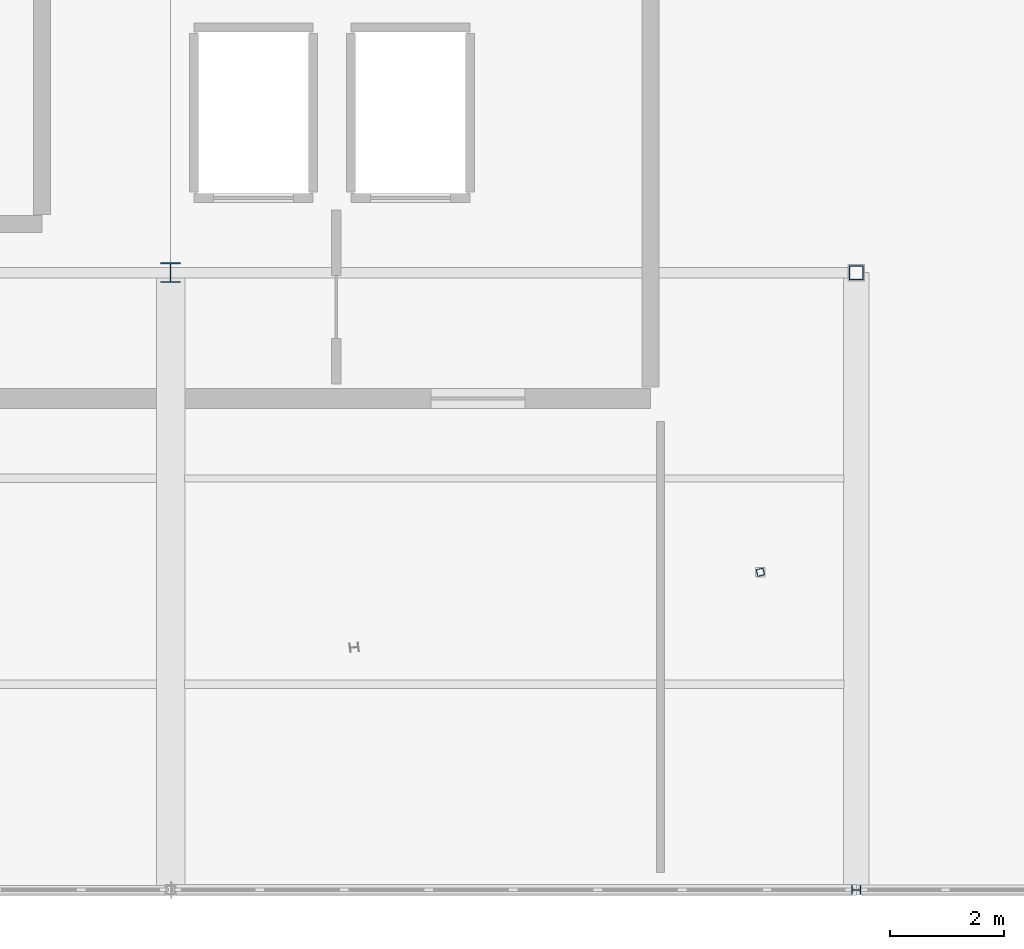
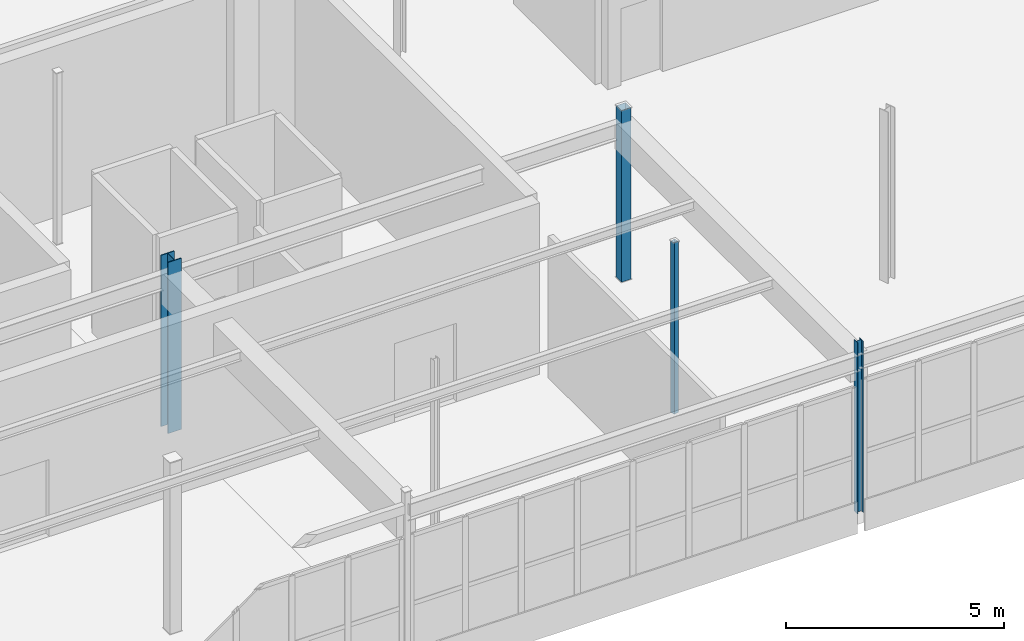
# One storey, part 10 of 226: 4 columns.
"""IFC4 building model written with IfcOpenShell, lengths in metres."""

from ifc_helpers import new_model, si_unit, direction, frame, origin, origin_2d, place, context, subcontext, project, spatial, hollow_rectangle, i_section, extrude, material, material_profile, profile_set, type_object, element, save


model = new_model("IFC4")

# Units and contexts
model_context = context("Model", 3, precision=1e-05, world=origin(), true_north=direction((0.0, 1.0)))
body_context = subcontext(model_context, "Body", "Model", "MODEL_VIEW")
ifc_project = project(units=[si_unit("LENGTHUNIT", "METRE"), si_unit("AREAUNIT", "SQUARE_METRE"), si_unit("VOLUMEUNIT", "CUBIC_METRE"), si_unit("PLANEANGLEUNIT", "RADIAN"), si_unit("MASSUNIT", "GRAM", prefix="KILO")], contexts=[model_context])

# Site, building, storey
site_placement = place(None, origin())
site = spatial("IfcSite", under=ifc_project, at=site_placement, CompositionType="ELEMENT")
building_placement = place(site_placement, origin())
building = spatial("IfcBuilding", under=site, at=building_placement, Name="Tarnwether General Hospital", CompositionType="ELEMENT")
storey_placement = place(building_placement, frame((0.0, 0.0, 4.800048828125)))
storey = spatial("IfcBuildingStorey", under=building, at=storey_placement, Name="L01", CompositionType="ELEMENT", Elevation=4.800048828125)

# Columns
ifc_material_1 = material(Name="Steel Grade 350 (350 MPa)", Category="steel")
ifc_material_profile_1 = material_profile(ifc_material_1, i_section(OverallWidth=0.35009765625, OverallDepth=0.35009765625, WebThickness=0.013916015625, FlangeThickness=0.02392578125, at=origin_2d()), Name="350WC197")
ifc_profile_set_1 = profile_set([ifc_material_profile_1], Name="Steel Grade 350 (350 MPa)")
column_type_1 = type_object("IfcColumnType", Name="COL-04", PredefinedType="COLUMN", material=ifc_profile_set_1)
column_1_placement = place(storey_placement, frame((96.0, 10.800048828125, 0.0), z_axis=(0.0, 0.0, 1.0), x_axis=(1.0, 0.0, 0.0)))
element("IfcColumn", 1, at=column_1_placement, inside=storey, type_object=column_type_1, Name="Column COLG-L01-9600_1080", PredefinedType="COLUMN", context=body_context, shape_type="SweptSolid", body=[
    extrude(i_section(OverallWidth=0.35009765625, OverallDepth=0.35009765625, WebThickness=0.013916015625, FlangeThickness=0.02392578125, at=origin_2d()), origin(), (0.0, 0.0, 1.0), 4.800048828125),
])
ifc_material_2 = material(Name="Steel Grade C350L0 (350 MPa)", Category="steel")
ifc_material_profile_2 = material_profile(ifc_material_2, hollow_rectangle(XDim=0.25, YDim=0.25, WallThickness=0.012451171875, at=origin_2d()), Name="SHS250x250x12.5")
ifc_profile_set_2 = profile_set([ifc_material_profile_2], Name="Steel Grade C350L0 (350 MPa)")
column_type_2 = type_object("IfcColumnType", Name="COL-14", PredefinedType="COLUMN", material=ifc_profile_set_2)
column_2_placement = place(storey_placement, frame((108.0, 10.800048828125, 0.0), z_axis=(0.0, 0.0, 1.0), x_axis=(0.0, 1.0, 0.0)))
element("IfcColumn", 2, at=column_2_placement, inside=storey, type_object=column_type_2, Name="Column COLG-L01-10800_1080", PredefinedType="COLUMN", context=body_context, shape_type="SweptSolid", body=[
    extrude(hollow_rectangle(XDim=0.25, YDim=0.25, WallThickness=0.012451171875, at=origin_2d()), origin(), (0.0, 0.0, 1.0), 4.800048828125),
])
ifc_material_3 = material(Name="Steel Grade 350 (350 MPa)", Category="steel")
ifc_material_profile_3 = material_profile(ifc_material_3, i_section(OverallWidth=0.153076171875, OverallDepth=0.157958984375, WebThickness=0.006591796875, FlangeThickness=0.009521484375, at=origin_2d()), Name="150UC30.0")
ifc_profile_set_3 = profile_set([ifc_material_profile_3], Name="Steel Grade 350 (350 MPa)")
column_type_3 = type_object("IfcColumnType", Name="COL-31", PredefinedType="COLUMN", material=ifc_profile_set_3)
column_3_placement = place(storey_placement, frame((108.0, 0.0, 0.0), z_axis=(0.0, 0.0, 1.0), x_axis=(0.0, 1.0, 0.0)))
element("IfcColumn", 3, at=column_3_placement, inside=storey, type_object=column_type_3, Name="Column COLG-L01-10800_0", PredefinedType="COLUMN", context=body_context, shape_type="SweptSolid", body=[
    extrude(i_section(OverallWidth=0.153076171875, OverallDepth=0.157958984375, WebThickness=0.006591796875, FlangeThickness=0.009521484375, at=origin_2d()), origin(), (0.0, 0.0, 1.0), 4.800048828125),
])
ifc_material_4 = material(Name="Steel Grade C350L0 (350 MPa)", Category="steel")
ifc_material_profile_4 = material_profile(ifc_material_4, hollow_rectangle(XDim=0.125, YDim=0.125, WallThickness=0.006103515625, at=origin_2d()), Name="SHS125x125x6")
ifc_profile_set_4 = profile_set([ifc_material_profile_4], Name="Steel Grade C350L0 (350 MPa)")
column_type_4 = type_object("IfcColumnType", Name="COL-34", PredefinedType="COLUMN", material=ifc_profile_set_4)
column_4_placement = place(storey_placement, frame((106.322021484375, 5.55810546875, 0.0), z_axis=(0.0, 0.0, 1.0), x_axis=(-0.2419218956, 0.970295726276, 0.0)))
element("IfcColumn", 4, at=column_4_placement, inside=storey, type_object=column_type_4, Name="Column COLG-L01-10632_556", PredefinedType="COLUMN", context=body_context, shape_type="SweptSolid", body=[
    extrude(hollow_rectangle(XDim=0.125, YDim=0.125, WallThickness=0.006103515625, at=origin_2d()), origin(), (0.0, 0.0, 1.0), 4.800048828125),
])

save(model, "model.ifc")
